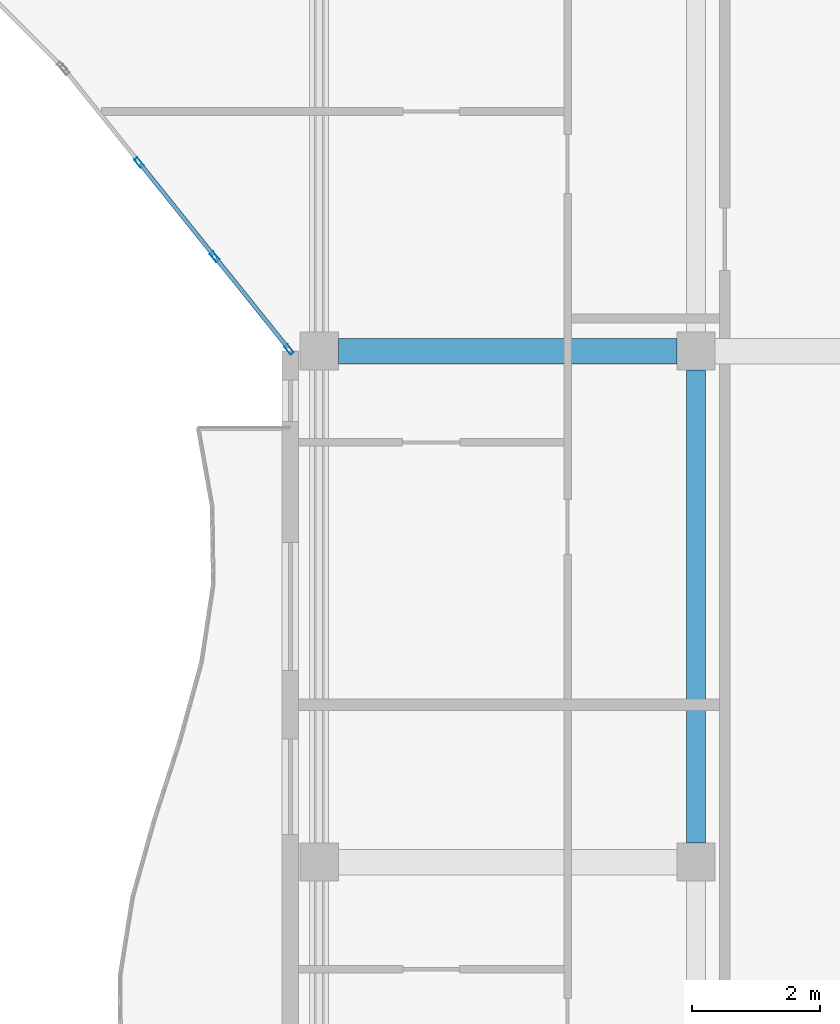
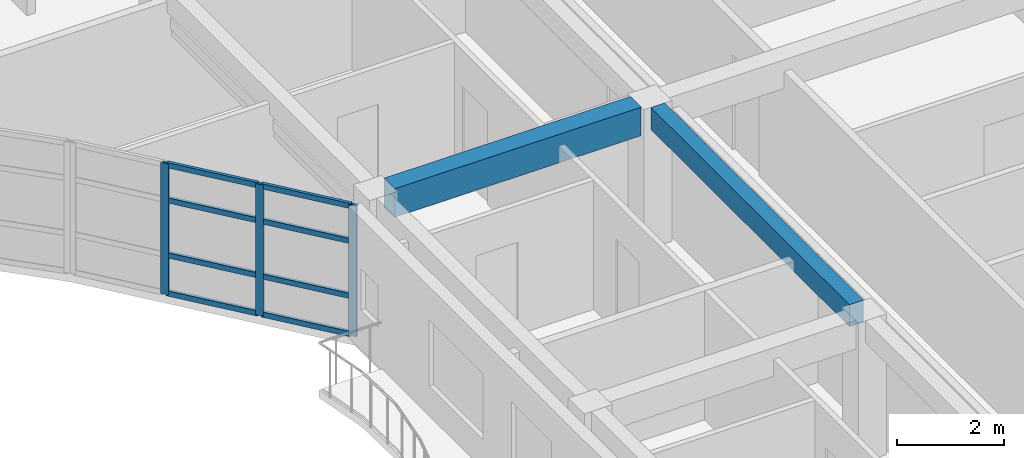
# One storey, part 26 of 79: 11 members, 2 beams, 1 element without a shape of its own.
"""IFC4 building model written with IfcOpenShell, lengths in metres."""

from ifc_helpers import new_model, si_unit, direction, frame, origin, origin_2d, place, context, subcontext, project, spatial, rectangle, hollow_rectangle, extrude, material, layer, layer_set, material_profile, profile_set, type_object, element, aggregate, save


model = new_model("IFC4")

# Units and contexts
model_context = context("Model", 3, precision=1e-05, world=origin(), true_north=direction((0.0, 1.0)))
body_context = subcontext(model_context, "Body", "Model", "MODEL_VIEW")
ifc_project = project(units=[si_unit("LENGTHUNIT", "METRE"), si_unit("AREAUNIT", "SQUARE_METRE"), si_unit("VOLUMEUNIT", "CUBIC_METRE"), si_unit("PLANEANGLEUNIT", "RADIAN"), si_unit("MASSUNIT", "GRAM", prefix="KILO")], contexts=[model_context])

# Site, building, storey
site_placement = place(None, origin())
site = spatial("IfcSite", under=ifc_project, at=site_placement, CompositionType="ELEMENT")
building_placement = place(site_placement, origin())
building = spatial("IfcBuilding", under=site, at=building_placement, Name="Keldmere Railside Commons", CompositionType="ELEMENT")
storey_placement = place(building_placement, frame((0.0, 0.0, 10.56005859375)))
storey = spatial("IfcBuildingStorey", under=building, at=storey_placement, Name="L03", CompositionType="ELEMENT", Elevation=10.56005859375)

# Beams
ifc_material_1 = material(Name="Concrete H-30 (C30/37)", Category="concrete")
ifc_material_profile_1 = material_profile(ifc_material_1, rectangle(XDim=0.39990234375, YDim=0.64990234375, at=origin_2d()), Name="RC-400x650")
ifc_profile_set_1 = profile_set([ifc_material_profile_1], Name="Concrete H-30 (C30/37)")
beam_type_1 = type_object("IfcBeamType", Name="Residential Spine RC Girder 400x650", PredefinedType="BEAM", material=ifc_profile_set_1)
beam_1_placement = place(storey_placement, frame((168.75, 88.0, 2.875), z_axis=(1.0, 0.0, 0.0), x_axis=(0.0, 1.0, 0.0)))
element("IfcBeam", 1, at=beam_1_placement, inside=storey, type_object=beam_type_1, Name="BG-3 BM-L03-1359", PredefinedType="BEAM", context=body_context, shape_type="SweptSolid", body=[
    extrude(rectangle(XDim=0.39990234375, YDim=0.64990234375, at=origin_2d()), origin(), (0.0, 0.0, 1.0), 5.300048828125),
])
ifc_material_profile_2 = material_profile(ifc_material_1, rectangle(XDim=0.300048828125, YDim=0.5, at=origin_2d()), Name="RC-300x500")
ifc_profile_set_2 = profile_set([ifc_material_profile_2], Name="Concrete H-30 (C30/37)")
beam_type_2 = type_object("IfcBeamType", Name="Secondary Frame RC Beam 300x500", PredefinedType="BEAM", material=ifc_profile_set_2)
beam_2_placement = place(storey_placement, frame((174.35009765625, 80.300048828125, 2.949951171875), z_axis=(0.0, 1.0, 0.0), x_axis=(-1.0, 0.0, 0.0)))
element("IfcBeam", 2, at=beam_2_placement, inside=storey, type_object=beam_type_2, Name="BG-5 BM-L03-1503", PredefinedType="BEAM", context=body_context, shape_type="SweptSolid", body=[
    extrude(rectangle(XDim=0.300048828125, YDim=0.5, at=origin_2d()), origin(), (0.0, 0.0, 1.0), 7.39990234375),
])

# Curtain wall, members
ifc_material_2 = material(Name="Thermally Broken Aluminium", Category="aluminium")
ifc_layer = layer(ifc_material_2, 0.159912109375, Name="Court Chord Wintergarden CW 5400x2850")
ifc_layer_set = layer_set([ifc_layer], Name="Thermally Broken Aluminium")
curtain_wall_type = type_object("IfcCurtainWallType", Name="Court Chord Wintergarden CW 5400x2850", PredefinedType="NOTDEFINED", material=ifc_layer_set)
curtain_wall_placement = place(storey_placement, origin())
curtain_wall = element("IfcCurtainWall", 3, at=curtain_wall_placement, inside=storey, type_object=curtain_wall_type, Name="CW-13 CW-L03-168", PredefinedType="NOTDEFINED")
ifc_material_profile_3 = material_profile(ifc_material_2, hollow_rectangle(XDim=0.06494140625, YDim=0.159912109375, WallThickness=0.00390625, at=origin_2d()), Name="ALU-MULL-65x160")
ifc_profile_set_3 = profile_set([ifc_material_profile_3], Name="Thermally Broken Aluminium")
member_type_1 = type_object("IfcMemberType", Name="Unitised Curtain Wall Mullion 65x160", PredefinedType="MULLION", material=ifc_profile_set_3)
member_1_placement = place(storey_placement, frame((167.979736328125, 88.025390625, 0.0), z_axis=(0.0, 0.0, 1.0), x_axis=(-0.780009172323, -0.625768080915, 0.0)))
member_1 = element("IfcMember", 4, at=member_1_placement, type_object=member_type_1, Name="CW-13 mullion 1", PredefinedType="MULLION", context=body_context, shape_type="SweptSolid", body=[
    extrude(hollow_rectangle(XDim=0.06494140625, YDim=0.159912109375, WallThickness=0.00390625, at=origin_2d()), origin(), (0.0, 0.0, 1.0), 2.97998046875),
])
member_2_placement = place(storey_placement, frame((166.8154296875, 89.4765625, 0.0), z_axis=(0.0, 0.0, 1.0), x_axis=(-0.780009172323, -0.625768080915, 0.0)))
member_2 = element("IfcMember", 5, at=member_2_placement, type_object=member_type_1, Name="CW-13 mullion 2", PredefinedType="MULLION", context=body_context, shape_type="SweptSolid", body=[
    extrude(hollow_rectangle(XDim=0.06494140625, YDim=0.159912109375, WallThickness=0.00390625, at=origin_2d()), origin(), (0.0, 0.0, 1.0), 2.97998046875),
])
member_3_placement = place(storey_placement, frame((165.630615234375, 90.953369140625, 0.0), z_axis=(0.0, 0.0, 1.0), x_axis=(-0.780009172323, -0.625768080915, 0.0)))
member_3 = element("IfcMember", 6, at=member_3_placement, type_object=member_type_1, Name="CW-13 mullion 3", PredefinedType="MULLION", context=body_context, shape_type="SweptSolid", body=[
    extrude(hollow_rectangle(XDim=0.06494140625, YDim=0.159912109375, WallThickness=0.00390625, at=origin_2d()), origin(), (0.0, 0.0, 1.0), 2.97998046875),
])
ifc_material_profile_4 = material_profile(ifc_material_2, hollow_rectangle(XDim=0.06494140625, YDim=0.1201171875, WallThickness=0.00390625, at=origin_2d()), Name="ALU-TRAN-65x120")
ifc_profile_set_4 = profile_set([ifc_material_profile_4], Name="Thermally Broken Aluminium")
member_type_2 = type_object("IfcMemberType", Name="Unitised Curtain Wall Transom 65x120", PredefinedType="USERDEFINED", material=ifc_profile_set_4)
member_4_placement = place(storey_placement, frame((167.959228515625, 88.05078125, 0.032470703125), z_axis=(-0.625722553313, 0.780045694992, 0.0), x_axis=(-0.780045694992, -0.625722553313, 0.0)))
member_4 = element("IfcMember", 7, at=member_4_placement, type_object=member_type_2, Name="CW-13 transom 1.1", ObjectType="TRANSOM", PredefinedType="USERDEFINED", context=body_context, shape_type="SweptSolid", body=[
    extrude(hollow_rectangle(XDim=0.06494140625, YDim=0.1201171875, WallThickness=0.00390625, at=origin_2d()), origin(), (0.0, 0.0, 1.0), 1.795654296875),
])
member_5_placement = place(storey_placement, frame((167.959228515625, 88.05078125, 0.89990234375), z_axis=(-0.625722553313, 0.780045694992, 0.0), x_axis=(-0.780045694992, -0.625722553313, 0.0)))
member_5 = element("IfcMember", 8, at=member_5_placement, type_object=member_type_2, Name="CW-13 transom 1.2", ObjectType="TRANSOM", PredefinedType="USERDEFINED", context=body_context, shape_type="SweptSolid", body=[
    extrude(hollow_rectangle(XDim=0.06494140625, YDim=0.1201171875, WallThickness=0.00390625, at=origin_2d()), origin(), (0.0, 0.0, 1.0), 1.795654296875),
])
member_6_placement = place(storey_placement, frame((167.959228515625, 88.05078125, 2.14990234375), z_axis=(-0.625722553313, 0.780045694992, 0.0), x_axis=(-0.780045694992, -0.625722553313, 0.0)))
member_6 = element("IfcMember", 9, at=member_6_placement, type_object=member_type_2, Name="CW-13 transom 1.3", ObjectType="TRANSOM", PredefinedType="USERDEFINED", context=body_context, shape_type="SweptSolid", body=[
    extrude(hollow_rectangle(XDim=0.06494140625, YDim=0.1201171875, WallThickness=0.00390625, at=origin_2d()), origin(), (0.0, 0.0, 1.0), 1.795654296875),
])
member_7_placement = place(storey_placement, frame((167.959228515625, 88.05078125, 2.947509765625), z_axis=(-0.625722553313, 0.780045694992, 0.0), x_axis=(-0.780045694992, -0.625722553313, 0.0)))
member_7 = element("IfcMember", 10, at=member_7_placement, type_object=member_type_2, Name="CW-13 transom 1.4", ObjectType="TRANSOM", PredefinedType="USERDEFINED", context=body_context, shape_type="SweptSolid", body=[
    extrude(hollow_rectangle(XDim=0.06494140625, YDim=0.1201171875, WallThickness=0.00390625, at=origin_2d()), origin(), (0.0, 0.0, 1.0), 1.795654296875),
])
member_8_placement = place(storey_placement, frame((166.794921875, 89.501953125, 0.032470703125), z_axis=(-0.625688033635, 0.78007338409, 0.0), x_axis=(-0.78007338409, -0.625688033635, 0.0)))
member_8 = element("IfcMember", 11, at=member_8_placement, type_object=member_type_2, Name="CW-13 transom 2.1", ObjectType="TRANSOM", PredefinedType="USERDEFINED", context=body_context, shape_type="SweptSolid", body=[
    extrude(hollow_rectangle(XDim=0.06494140625, YDim=0.1201171875, WallThickness=0.00390625, at=origin_2d()), origin(), (0.0, 0.0, 1.0), 1.828125),
])
member_9_placement = place(storey_placement, frame((166.794921875, 89.501953125, 0.89990234375), z_axis=(-0.625688033635, 0.78007338409, 0.0), x_axis=(-0.78007338409, -0.625688033635, 0.0)))
member_9 = element("IfcMember", 12, at=member_9_placement, type_object=member_type_2, Name="CW-13 transom 2.2", ObjectType="TRANSOM", PredefinedType="USERDEFINED", context=body_context, shape_type="SweptSolid", body=[
    extrude(hollow_rectangle(XDim=0.06494140625, YDim=0.1201171875, WallThickness=0.00390625, at=origin_2d()), origin(), (0.0, 0.0, 1.0), 1.828125),
])
member_10_placement = place(storey_placement, frame((166.794921875, 89.501953125, 2.14990234375), z_axis=(-0.625688033635, 0.78007338409, 0.0), x_axis=(-0.78007338409, -0.625688033635, 0.0)))
member_10 = element("IfcMember", 13, at=member_10_placement, type_object=member_type_2, Name="CW-13 transom 2.3", ObjectType="TRANSOM", PredefinedType="USERDEFINED", context=body_context, shape_type="SweptSolid", body=[
    extrude(hollow_rectangle(XDim=0.06494140625, YDim=0.1201171875, WallThickness=0.00390625, at=origin_2d()), origin(), (0.0, 0.0, 1.0), 1.828125),
])
member_11_placement = place(storey_placement, frame((166.794921875, 89.501953125, 2.947509765625), z_axis=(-0.625688033635, 0.78007338409, 0.0), x_axis=(-0.78007338409, -0.625688033635, 0.0)))
member_11 = element("IfcMember", 14, at=member_11_placement, type_object=member_type_2, Name="CW-13 transom 2.4", ObjectType="TRANSOM", PredefinedType="USERDEFINED", context=body_context, shape_type="SweptSolid", body=[
    extrude(hollow_rectangle(XDim=0.06494140625, YDim=0.1201171875, WallThickness=0.00390625, at=origin_2d()), origin(), (0.0, 0.0, 1.0), 1.828125),
])
aggregate(curtain_wall, [member_1, member_2, member_3, member_4, member_5, member_6, member_7, member_8, member_9, member_10, member_11])

save(model, "model.ifc")
